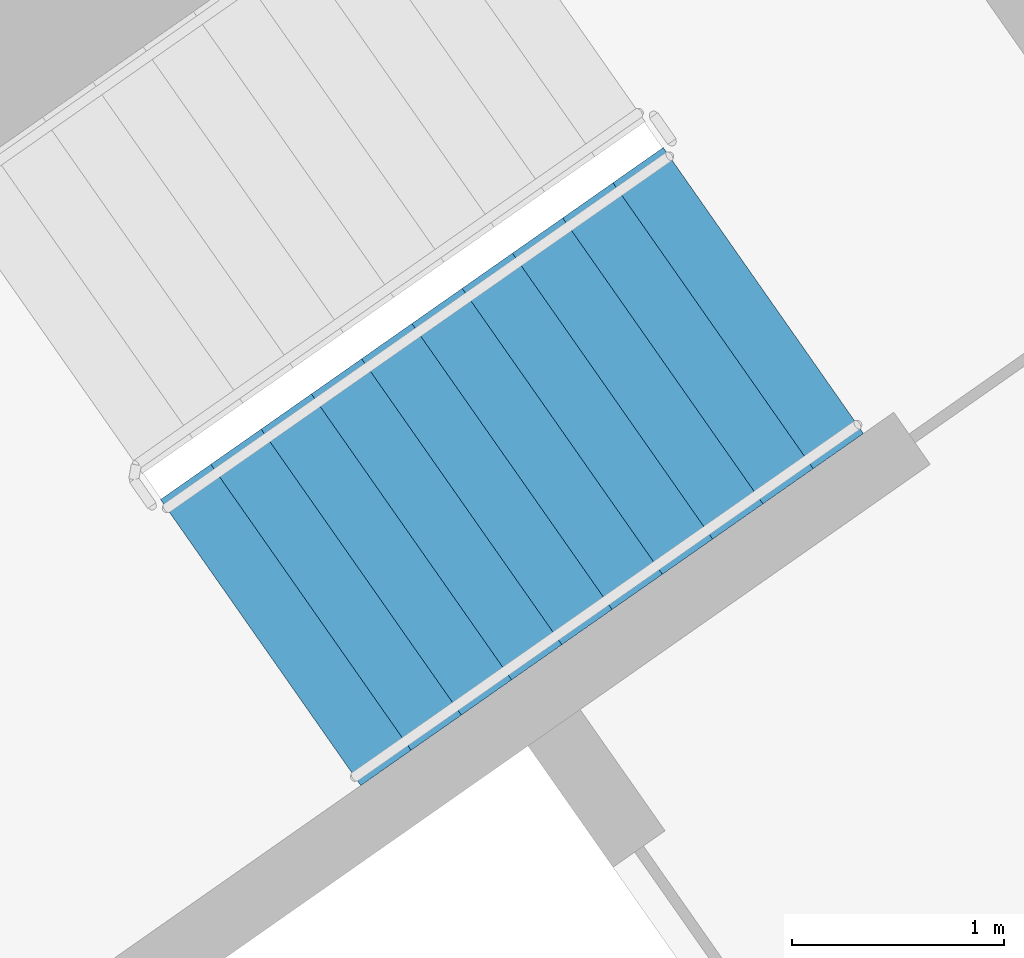
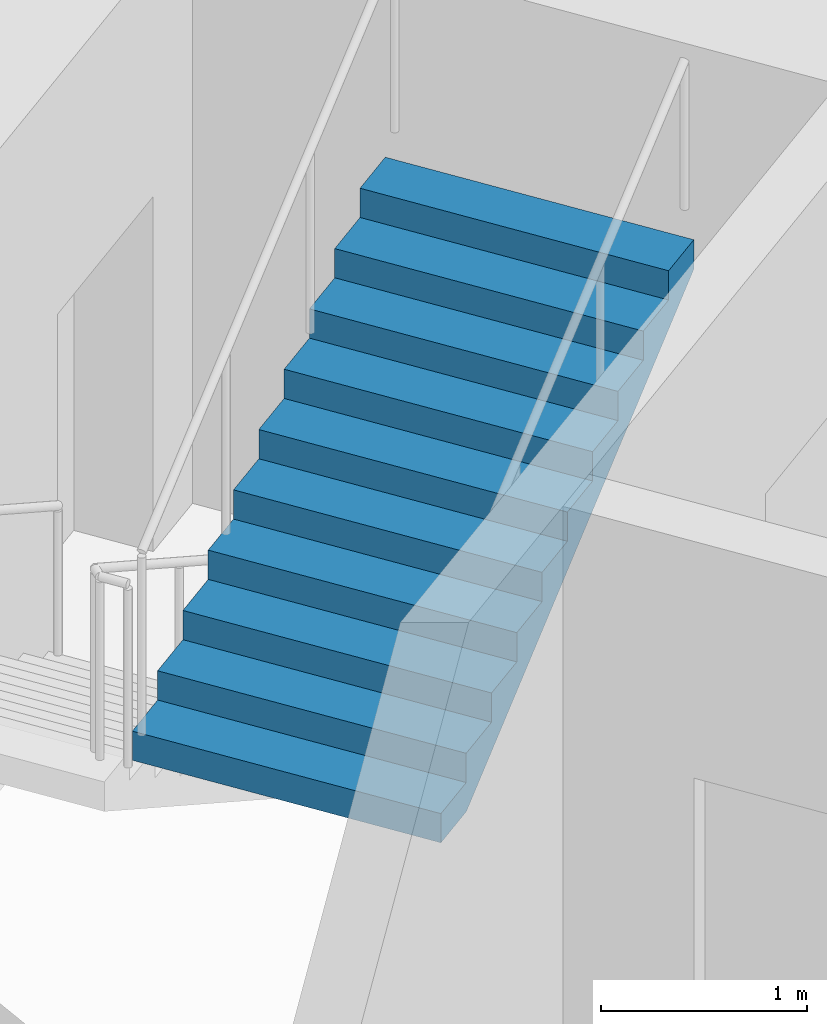
# One storey, part 17 of 32: 1 stair flight, 1 element without a shape of its own.
"""IFC4 building model written with IfcOpenShell, lengths in metres."""

from ifc_helpers import new_model, si_unit, direction, frame, origin, place, context, subcontext, project, spatial, faceted_brep, material, type_object, element, aggregate, save


model = new_model("IFC4")

# Units and contexts
model_context = context("Model", 3, precision=1e-05, world=origin(), true_north=direction((0.0, 1.0)))
body_context = subcontext(model_context, "Body", "Model", "MODEL_VIEW")
ifc_project = project(units=[si_unit("LENGTHUNIT", "METRE"), si_unit("AREAUNIT", "SQUARE_METRE"), si_unit("VOLUMEUNIT", "CUBIC_METRE"), si_unit("PLANEANGLEUNIT", "RADIAN"), si_unit("MASSUNIT", "GRAM", prefix="KILO")], contexts=[model_context])

# Site, building, storey
site_placement = place(None, origin())
site = spatial("IfcSite", under=ifc_project, at=site_placement, CompositionType="ELEMENT")
building_placement = place(site_placement, origin())
building = spatial("IfcBuilding", under=site, at=building_placement, Name="Qamariyya Broadcast Tower", CompositionType="ELEMENT")
storey_placement = place(building_placement, frame((0.0, 0.0, 70.89990234375)))
storey = spatial("IfcBuildingStorey", under=building, at=storey_placement, Name="L14", CompositionType="ELEMENT", Elevation=70.89990234375)

# Stair, stair flight
ifc_material = material(Name="Concrete C50/60", Category="concrete")
stair_type = type_object("IfcStairType", Name="Exit stair 22 risers of 173 mm", PredefinedType="HALF_TURN_STAIR", material=ifc_material)
stair_placement = place(storey_placement, origin())
stair = element("IfcStair", 1, at=stair_placement, inside=storey, type_object=stair_type, Name="L14 Stair E2", PredefinedType="HALF_TURN_STAIR")
stair_flight_type = type_object("IfcStairFlightType", Name="Exit stair flight 11 risers of 173 mm", PredefinedType="STRAIGHT", material=ifc_material)
stair_flight_placement = place(storey_placement, frame((39.215576171875, -50.822998046875, 1.900146484375), z_axis=(0.0, 0.0, 1.0), x_axis=(0.819152044289, 0.573576436351, 0.0)))
stair_flight = element("IfcStairFlight", 2, at=stair_flight_placement, type_object=stair_flight_type, Name="ST-E2 flight 2", NumberOfRisers=11, NumberOfTreads=10, PredefinedType="STRAIGHT", RiserHeight=0.172727273, TreadLength=0.29, context=body_context, shape_type="Brep", body=[
    faceted_brep([(0.0, 0.824951171875, 0.0), (0.0, 0.824951171875, 0.172607421875), (0.2900390625, 0.824951171875, 0.172607421875), (0.2900390625, 0.824951171875, 0.345458984375), (0.580078125, 0.824951171875, 0.345458984375), (0.580078125, 0.824951171875, 0.51806640625), (0.8701171875, 0.824951171875, 0.51806640625), (0.8701171875, 0.824951171875, 0.69091796875), (1.159912109375, 0.824951171875, 0.69091796875), (1.159912109375, 0.824951171875, 0.863525390625), (1.449951171875, 0.824951171875, 0.863525390625), (1.449951171875, 0.824951171875, 1.036376953125), (1.739990234375, 0.824951171875, 1.036376953125), (1.739990234375, 0.824951171875, 1.208984375), (2.030029296875, 0.824951171875, 1.208984375), (2.030029296875, 0.824951171875, 1.3818359375), (2.320068359375, 0.824951171875, 1.3818359375), (2.320068359375, 0.824951171875, 1.554443359375), (2.610107421875, 0.824951171875, 1.554443359375), (2.610107421875, 0.824951171875, 1.727294921875), (2.89990234375, 0.824951171875, 1.727294921875), (2.89990234375, 0.824951171875, 1.552734375), (0.29296875, 0.824951171875, 0.0), (0.29296875, -0.824951171875, 0.0), (2.89990234375, -0.824951171875, 1.552734375), (2.89990234375, -0.824951171875, 1.727294921875), (2.610107421875, -0.824951171875, 1.727294921875), (2.610107421875, -0.824951171875, 1.554443359375), (2.320068359375, -0.824951171875, 1.554443359375), (2.320068359375, -0.824951171875, 1.3818359375), (2.030029296875, -0.824951171875, 1.3818359375), (2.030029296875, -0.824951171875, 1.208984375), (1.739990234375, -0.824951171875, 1.208984375), (1.739990234375, -0.824951171875, 1.036376953125), (1.449951171875, -0.824951171875, 1.036376953125), (1.449951171875, -0.824951171875, 0.863525390625), (1.159912109375, -0.824951171875, 0.863525390625), (1.159912109375, -0.824951171875, 0.69091796875), (0.8701171875, -0.824951171875, 0.69091796875), (0.8701171875, -0.824951171875, 0.51806640625), (0.580078125, -0.824951171875, 0.51806640625), (0.580078125, -0.824951171875, 0.345458984375), (0.2900390625, -0.824951171875, 0.345458984375), (0.2900390625, -0.824951171875, 0.172607421875), (0.0, -0.824951171875, 0.172607421875), (0.0, -0.824951171875, 0.0), (0.0, 0.10009765625, 0.0), (0.0, 0.086669921875, 0.0), (0.0, 0.0732421875, 0.0), (0.0, 0.06005859375, 0.0), (0.0, 0.046630859375, 0.0), (0.0, 0.033447265625, 0.0), (0.0, 0.02001953125, 0.0), (0.0, 0.006591796875, 0.0), (0.0, -0.006591796875, 0.0), (0.0, -0.02001953125, 0.0), (0.0, -0.033447265625, 0.0), (0.0, -0.046630859375, 0.0), (0.0, -0.06005859375, 0.0), (0.0, -0.0732421875, 0.0), (0.0, -0.086669921875, 0.0), (0.0, -0.10009765625, 0.0), (0.0, -0.10009765625, 0.172607421875), (0.0, -0.086669921875, 0.172607421875), (0.0, -0.0732421875, 0.172607421875), (0.0, -0.06005859375, 0.172607421875), (0.0, -0.046630859375, 0.172607421875), (0.0, -0.033447265625, 0.172607421875), (0.0, -0.02001953125, 0.172607421875), (0.0, -0.006591796875, 0.172607421875), (0.0, 0.006591796875, 0.172607421875), (0.0, 0.02001953125, 0.172607421875), (0.0, 0.033447265625, 0.172607421875), (0.0, 0.046630859375, 0.172607421875), (0.0, 0.06005859375, 0.172607421875), (0.0, 0.0732421875, 0.172607421875), (0.0, 0.086669921875, 0.172607421875), (0.0, 0.10009765625, 0.172607421875), (0.2900390625, -0.10009765625, 0.172607421875), (0.2900390625, -0.086669921875, 0.172607421875), (0.2900390625, -0.0732421875, 0.172607421875), (0.2900390625, -0.06005859375, 0.172607421875), (0.2900390625, -0.046630859375, 0.172607421875), (0.2900390625, -0.033447265625, 0.172607421875), (0.2900390625, -0.02001953125, 0.172607421875), (0.2900390625, -0.006591796875, 0.172607421875), (0.2900390625, 0.006591796875, 0.172607421875), (0.2900390625, 0.02001953125, 0.172607421875), (0.2900390625, 0.033447265625, 0.172607421875), (0.2900390625, 0.046630859375, 0.172607421875), (0.2900390625, 0.06005859375, 0.172607421875), (0.2900390625, 0.0732421875, 0.172607421875), (0.2900390625, 0.086669921875, 0.172607421875), (0.2900390625, 0.10009765625, 0.172607421875), (0.2900390625, -0.10009765625, 0.345458984375), (0.2900390625, -0.086669921875, 0.345458984375), (0.2900390625, -0.0732421875, 0.345458984375), (0.2900390625, -0.06005859375, 0.345458984375), (0.2900390625, -0.046630859375, 0.345458984375), (0.2900390625, -0.033447265625, 0.345458984375), (0.2900390625, -0.02001953125, 0.345458984375), (0.2900390625, -0.006591796875, 0.345458984375), (0.2900390625, 0.006591796875, 0.345458984375), (0.2900390625, 0.02001953125, 0.345458984375), (0.2900390625, 0.033447265625, 0.345458984375), (0.2900390625, 0.046630859375, 0.345458984375), (0.2900390625, 0.06005859375, 0.345458984375), (0.2900390625, 0.0732421875, 0.345458984375), (0.2900390625, 0.086669921875, 0.345458984375), (0.2900390625, 0.10009765625, 0.345458984375), (0.580078125, -0.10009765625, 0.345458984375), (0.580078125, -0.086669921875, 0.345458984375), (0.580078125, -0.0732421875, 0.345458984375), (0.580078125, -0.06005859375, 0.345458984375), (0.580078125, -0.046630859375, 0.345458984375), (0.580078125, -0.033447265625, 0.345458984375), (0.580078125, -0.02001953125, 0.345458984375), (0.580078125, -0.006591796875, 0.345458984375), (0.580078125, 0.006591796875, 0.345458984375), (0.580078125, 0.02001953125, 0.345458984375), (0.580078125, 0.033447265625, 0.345458984375), (0.580078125, 0.046630859375, 0.345458984375), (0.580078125, 0.06005859375, 0.345458984375), (0.580078125, 0.0732421875, 0.345458984375), (0.580078125, 0.086669921875, 0.345458984375), (0.580078125, 0.10009765625, 0.345458984375), (0.580078125, -0.10009765625, 0.51806640625), (0.580078125, -0.086669921875, 0.51806640625), (0.580078125, -0.0732421875, 0.51806640625), (0.580078125, -0.06005859375, 0.51806640625), (0.580078125, -0.046630859375, 0.51806640625), (0.580078125, -0.033447265625, 0.51806640625), (0.580078125, -0.02001953125, 0.51806640625), (0.580078125, -0.006591796875, 0.51806640625), (0.580078125, 0.006591796875, 0.51806640625), (0.580078125, 0.02001953125, 0.51806640625), (0.580078125, 0.033447265625, 0.51806640625), (0.580078125, 0.046630859375, 0.51806640625), (0.580078125, 0.06005859375, 0.51806640625), (0.580078125, 0.0732421875, 0.51806640625), (0.580078125, 0.086669921875, 0.51806640625), (0.580078125, 0.10009765625, 0.51806640625), (0.8701171875, -0.10009765625, 0.51806640625), (0.8701171875, -0.086669921875, 0.51806640625), (0.8701171875, -0.0732421875, 0.51806640625), (0.8701171875, -0.06005859375, 0.51806640625), (0.8701171875, -0.046630859375, 0.51806640625), (0.8701171875, -0.033447265625, 0.51806640625), (0.8701171875, -0.02001953125, 0.51806640625), (0.8701171875, -0.006591796875, 0.51806640625), (0.8701171875, 0.006591796875, 0.51806640625), (0.8701171875, 0.02001953125, 0.51806640625), (0.8701171875, 0.033447265625, 0.51806640625), (0.8701171875, 0.046630859375, 0.51806640625), (0.8701171875, 0.06005859375, 0.51806640625), (0.8701171875, 0.0732421875, 0.51806640625), (0.8701171875, 0.086669921875, 0.51806640625), (0.8701171875, 0.10009765625, 0.51806640625), (0.8701171875, -0.10009765625, 0.69091796875), (0.8701171875, -0.086669921875, 0.69091796875), (0.8701171875, -0.0732421875, 0.69091796875), (0.8701171875, -0.06005859375, 0.69091796875), (0.8701171875, -0.046630859375, 0.69091796875), (0.8701171875, -0.033447265625, 0.69091796875), (0.8701171875, -0.02001953125, 0.69091796875), (0.8701171875, -0.006591796875, 0.69091796875), (0.8701171875, 0.006591796875, 0.69091796875), (0.8701171875, 0.02001953125, 0.69091796875), (0.8701171875, 0.033447265625, 0.69091796875), (0.8701171875, 0.046630859375, 0.69091796875), (0.8701171875, 0.06005859375, 0.69091796875), (0.8701171875, 0.0732421875, 0.69091796875), (0.8701171875, 0.086669921875, 0.69091796875), (0.8701171875, 0.10009765625, 0.69091796875), (1.159912109375, -0.10009765625, 0.69091796875), (1.159912109375, -0.086669921875, 0.69091796875), (1.159912109375, -0.0732421875, 0.69091796875), (1.159912109375, -0.06005859375, 0.69091796875), (1.159912109375, -0.046630859375, 0.69091796875), (1.159912109375, -0.033447265625, 0.69091796875), (1.159912109375, -0.02001953125, 0.69091796875), (1.159912109375, -0.006591796875, 0.69091796875), (1.159912109375, 0.006591796875, 0.69091796875), (1.159912109375, 0.02001953125, 0.69091796875), (1.159912109375, 0.033447265625, 0.69091796875), (1.159912109375, 0.046630859375, 0.69091796875), (1.159912109375, 0.06005859375, 0.69091796875), (1.159912109375, 0.0732421875, 0.69091796875), (1.159912109375, 0.086669921875, 0.69091796875), (1.159912109375, 0.10009765625, 0.69091796875), (1.159912109375, -0.10009765625, 0.863525390625), (1.159912109375, -0.086669921875, 0.863525390625), (1.159912109375, -0.0732421875, 0.863525390625), (1.159912109375, -0.06005859375, 0.863525390625), (1.159912109375, -0.046630859375, 0.863525390625), (1.159912109375, -0.033447265625, 0.863525390625), (1.159912109375, -0.02001953125, 0.863525390625), (1.159912109375, -0.006591796875, 0.863525390625), (1.159912109375, 0.006591796875, 0.863525390625), (1.159912109375, 0.02001953125, 0.863525390625), (1.159912109375, 0.033447265625, 0.863525390625), (1.159912109375, 0.046630859375, 0.863525390625), (1.159912109375, 0.06005859375, 0.863525390625), (1.159912109375, 0.0732421875, 0.863525390625), (1.159912109375, 0.086669921875, 0.863525390625), (1.159912109375, 0.10009765625, 0.863525390625), (1.449951171875, -0.10009765625, 0.863525390625), (1.449951171875, -0.086669921875, 0.863525390625), (1.449951171875, -0.0732421875, 0.863525390625), (1.449951171875, -0.06005859375, 0.863525390625), (1.449951171875, -0.046630859375, 0.863525390625), (1.449951171875, -0.033447265625, 0.863525390625), (1.449951171875, -0.02001953125, 0.863525390625), (1.449951171875, -0.006591796875, 0.863525390625), (1.449951171875, 0.006591796875, 0.863525390625), (1.449951171875, 0.02001953125, 0.863525390625), (1.449951171875, 0.033447265625, 0.863525390625), (1.449951171875, 0.046630859375, 0.863525390625), (1.449951171875, 0.06005859375, 0.863525390625), (1.449951171875, 0.0732421875, 0.863525390625), (1.449951171875, 0.086669921875, 0.863525390625), (1.449951171875, 0.10009765625, 0.863525390625), (1.449951171875, -0.10009765625, 1.036376953125), (1.449951171875, -0.086669921875, 1.036376953125), (1.449951171875, -0.0732421875, 1.036376953125), (1.449951171875, -0.06005859375, 1.036376953125), (1.449951171875, -0.046630859375, 1.036376953125), (1.449951171875, -0.033447265625, 1.036376953125), (1.449951171875, -0.02001953125, 1.036376953125), (1.449951171875, -0.006591796875, 1.036376953125), (1.449951171875, 0.006591796875, 1.036376953125), (1.449951171875, 0.02001953125, 1.036376953125), (1.449951171875, 0.033447265625, 1.036376953125), (1.449951171875, 0.046630859375, 1.036376953125), (1.449951171875, 0.06005859375, 1.036376953125), (1.449951171875, 0.0732421875, 1.036376953125), (1.449951171875, 0.086669921875, 1.036376953125), (1.449951171875, 0.10009765625, 1.036376953125), (1.739990234375, -0.10009765625, 1.036376953125), (1.739990234375, -0.086669921875, 1.036376953125), (1.739990234375, -0.0732421875, 1.036376953125), (1.739990234375, -0.06005859375, 1.036376953125), (1.739990234375, -0.046630859375, 1.036376953125), (1.739990234375, -0.033447265625, 1.036376953125), (1.739990234375, -0.02001953125, 1.036376953125), (1.739990234375, -0.006591796875, 1.036376953125), (1.739990234375, 0.006591796875, 1.036376953125), (1.739990234375, 0.02001953125, 1.036376953125), (1.739990234375, 0.033447265625, 1.036376953125), (1.739990234375, 0.046630859375, 1.036376953125), (1.739990234375, 0.06005859375, 1.036376953125), (1.739990234375, 0.0732421875, 1.036376953125), (1.739990234375, 0.086669921875, 1.036376953125), (1.739990234375, 0.10009765625, 1.036376953125), (1.739990234375, -0.10009765625, 1.208984375), (1.739990234375, -0.086669921875, 1.208984375), (1.739990234375, -0.0732421875, 1.208984375), (1.739990234375, -0.06005859375, 1.208984375), (1.739990234375, -0.046630859375, 1.208984375), (1.739990234375, -0.033447265625, 1.208984375), (1.739990234375, -0.02001953125, 1.208984375), (1.739990234375, -0.006591796875, 1.208984375), (1.739990234375, 0.006591796875, 1.208984375), (1.739990234375, 0.02001953125, 1.208984375), (1.739990234375, 0.033447265625, 1.208984375), (1.739990234375, 0.046630859375, 1.208984375), (1.739990234375, 0.06005859375, 1.208984375), (1.739990234375, 0.0732421875, 1.208984375), (1.739990234375, 0.086669921875, 1.208984375), (1.739990234375, 0.10009765625, 1.208984375), (2.030029296875, -0.10009765625, 1.208984375), (2.030029296875, -0.086669921875, 1.208984375), (2.030029296875, -0.0732421875, 1.208984375), (2.030029296875, -0.06005859375, 1.208984375), (2.030029296875, -0.046630859375, 1.208984375), (2.030029296875, -0.033447265625, 1.208984375), (2.030029296875, -0.02001953125, 1.208984375), (2.030029296875, -0.006591796875, 1.208984375), (2.030029296875, 0.006591796875, 1.208984375), (2.030029296875, 0.02001953125, 1.208984375), (2.030029296875, 0.033447265625, 1.208984375), (2.030029296875, 0.046630859375, 1.208984375), (2.030029296875, 0.06005859375, 1.208984375), (2.030029296875, 0.0732421875, 1.208984375), (2.030029296875, 0.086669921875, 1.208984375), (2.030029296875, 0.10009765625, 1.208984375), (2.030029296875, -0.10009765625, 1.3818359375), (2.030029296875, -0.086669921875, 1.3818359375), (2.030029296875, -0.0732421875, 1.3818359375), (2.030029296875, -0.06005859375, 1.3818359375), (2.030029296875, -0.046630859375, 1.3818359375), (2.030029296875, -0.033447265625, 1.3818359375), (2.030029296875, -0.02001953125, 1.3818359375), (2.030029296875, -0.006591796875, 1.3818359375), (2.030029296875, 0.006591796875, 1.3818359375), (2.030029296875, 0.02001953125, 1.3818359375), (2.030029296875, 0.033447265625, 1.3818359375), (2.030029296875, 0.046630859375, 1.3818359375), (2.030029296875, 0.06005859375, 1.3818359375), (2.030029296875, 0.0732421875, 1.3818359375), (2.030029296875, 0.086669921875, 1.3818359375), (2.030029296875, 0.10009765625, 1.3818359375), (2.320068359375, -0.10009765625, 1.3818359375), (2.320068359375, -0.086669921875, 1.3818359375), (2.320068359375, -0.0732421875, 1.3818359375), (2.320068359375, -0.06005859375, 1.3818359375), (2.320068359375, -0.046630859375, 1.3818359375), (2.320068359375, -0.033447265625, 1.3818359375), (2.320068359375, -0.02001953125, 1.3818359375), (2.320068359375, -0.006591796875, 1.3818359375), (2.320068359375, 0.006591796875, 1.3818359375), (2.320068359375, 0.02001953125, 1.3818359375), (2.320068359375, 0.033447265625, 1.3818359375), (2.320068359375, 0.046630859375, 1.3818359375), (2.320068359375, 0.06005859375, 1.3818359375), (2.320068359375, 0.0732421875, 1.3818359375), (2.320068359375, 0.086669921875, 1.3818359375), (2.320068359375, 0.10009765625, 1.3818359375), (2.320068359375, -0.10009765625, 1.554443359375), (2.320068359375, -0.086669921875, 1.554443359375), (2.320068359375, -0.0732421875, 1.554443359375), (2.320068359375, -0.06005859375, 1.554443359375), (2.320068359375, -0.046630859375, 1.554443359375), (2.320068359375, -0.033447265625, 1.554443359375), (2.320068359375, -0.02001953125, 1.554443359375), (2.320068359375, -0.006591796875, 1.554443359375), (2.320068359375, 0.006591796875, 1.554443359375), (2.320068359375, 0.02001953125, 1.554443359375), (2.320068359375, 0.033447265625, 1.554443359375), (2.320068359375, 0.046630859375, 1.554443359375), (2.320068359375, 0.06005859375, 1.554443359375), (2.320068359375, 0.0732421875, 1.554443359375), (2.320068359375, 0.086669921875, 1.554443359375), (2.320068359375, 0.10009765625, 1.554443359375), (2.610107421875, -0.10009765625, 1.554443359375), (2.610107421875, -0.086669921875, 1.554443359375), (2.610107421875, -0.0732421875, 1.554443359375), (2.610107421875, -0.06005859375, 1.554443359375), (2.610107421875, -0.046630859375, 1.554443359375), (2.610107421875, -0.033447265625, 1.554443359375), (2.610107421875, -0.02001953125, 1.554443359375), (2.610107421875, -0.006591796875, 1.554443359375), (2.610107421875, 0.006591796875, 1.554443359375), (2.610107421875, 0.02001953125, 1.554443359375), (2.610107421875, 0.033447265625, 1.554443359375), (2.610107421875, 0.046630859375, 1.554443359375), (2.610107421875, 0.06005859375, 1.554443359375), (2.610107421875, 0.0732421875, 1.554443359375), (2.610107421875, 0.086669921875, 1.554443359375), (2.610107421875, 0.10009765625, 1.554443359375), (2.610107421875, -0.10009765625, 1.727294921875), (2.610107421875, -0.086669921875, 1.727294921875), (2.610107421875, -0.0732421875, 1.727294921875), (2.610107421875, -0.06005859375, 1.727294921875), (2.610107421875, -0.046630859375, 1.727294921875), (2.610107421875, -0.033447265625, 1.727294921875), (2.610107421875, -0.02001953125, 1.727294921875), (2.610107421875, -0.006591796875, 1.727294921875), (2.610107421875, 0.006591796875, 1.727294921875), (2.610107421875, 0.02001953125, 1.727294921875), (2.610107421875, 0.033447265625, 1.727294921875), (2.610107421875, 0.046630859375, 1.727294921875), (2.610107421875, 0.06005859375, 1.727294921875), (2.610107421875, 0.0732421875, 1.727294921875), (2.610107421875, 0.086669921875, 1.727294921875), (2.610107421875, 0.10009765625, 1.727294921875), (2.89990234375, -0.10009765625, 1.727294921875), (2.89990234375, -0.086669921875, 1.727294921875), (2.89990234375, -0.0732421875, 1.727294921875), (2.89990234375, -0.06005859375, 1.727294921875), (2.89990234375, -0.046630859375, 1.727294921875), (2.89990234375, -0.033447265625, 1.727294921875), (2.89990234375, -0.02001953125, 1.727294921875), (2.89990234375, -0.006591796875, 1.727294921875), (2.89990234375, 0.006591796875, 1.727294921875), (2.89990234375, 0.02001953125, 1.727294921875), (2.89990234375, 0.033447265625, 1.727294921875), (2.89990234375, 0.046630859375, 1.727294921875), (2.89990234375, 0.06005859375, 1.727294921875), (2.89990234375, 0.0732421875, 1.727294921875), (2.89990234375, 0.086669921875, 1.727294921875), (2.89990234375, 0.10009765625, 1.727294921875), (2.89990234375, -0.10009765625, 1.552734375), (2.89990234375, -0.086669921875, 1.552734375), (2.89990234375, -0.0732421875, 1.552734375), (2.89990234375, -0.06005859375, 1.552734375), (2.89990234375, -0.046630859375, 1.552734375), (2.89990234375, -0.033447265625, 1.552734375), (2.89990234375, -0.02001953125, 1.552734375), (2.89990234375, -0.006591796875, 1.552734375), (2.89990234375, 0.006591796875, 1.552734375), (2.89990234375, 0.02001953125, 1.552734375), (2.89990234375, 0.033447265625, 1.552734375), (2.89990234375, 0.046630859375, 1.552734375), (2.89990234375, 0.06005859375, 1.552734375), (2.89990234375, 0.0732421875, 1.552734375), (2.89990234375, 0.086669921875, 1.552734375), (2.89990234375, 0.10009765625, 1.552734375), (0.29296875, -0.10009765625, 0.0), (0.29296875, -0.086669921875, 0.0), (0.29296875, -0.0732421875, 0.0), (0.29296875, -0.06005859375, 0.0), (0.29296875, -0.046630859375, 0.0), (0.29296875, -0.033447265625, 0.0), (0.29296875, -0.02001953125, 0.0), (0.29296875, -0.006591796875, 0.0), (0.29296875, 0.006591796875, 0.0), (0.29296875, 0.02001953125, 0.0), (0.29296875, 0.033447265625, 0.0), (0.29296875, 0.046630859375, 0.0), (0.29296875, 0.06005859375, 0.0), (0.29296875, 0.0732421875, 0.0), (0.29296875, 0.086669921875, 0.0), (0.29296875, 0.10009765625, 0.0)], [[[0, 1, 2, 3, 4, 5, 6, 7, 8, 9, 10, 11, 12, 13, 14, 15, 16, 17, 18, 19, 20, 21, 22]], [[23, 24, 25, 26, 27, 28, 29, 30, 31, 32, 33, 34, 35, 36, 37, 38, 39, 40, 41, 42, 43, 44, 45]], [[0, 46, 47, 48, 49, 50, 51, 52, 53, 54, 55, 56, 57, 58, 59, 60, 61, 45, 44, 62, 63, 64, 65, 66, 67, 68, 69, 70, 71, 72, 73, 74, 75, 76, 77, 1]], [[1, 77, 76, 75, 74, 73, 72, 71, 70, 69, 68, 67, 66, 65, 64, 63, 62, 44, 43, 78, 79, 80, 81, 82, 83, 84, 85, 86, 87, 88, 89, 90, 91, 92, 93, 2]], [[2, 93, 92, 91, 90, 89, 88, 87, 86, 85, 84, 83, 82, 81, 80, 79, 78, 43, 42, 94, 95, 96, 97, 98, 99, 100, 101, 102, 103, 104, 105, 106, 107, 108, 109, 3]], [[3, 109, 108, 107, 106, 105, 104, 103, 102, 101, 100, 99, 98, 97, 96, 95, 94, 42, 41, 110, 111, 112, 113, 114, 115, 116, 117, 118, 119, 120, 121, 122, 123, 124, 125, 4]], [[4, 125, 124, 123, 122, 121, 120, 119, 118, 117, 116, 115, 114, 113, 112, 111, 110, 41, 40, 126, 127, 128, 129, 130, 131, 132, 133, 134, 135, 136, 137, 138, 139, 140, 141, 5]], [[5, 141, 140, 139, 138, 137, 136, 135, 134, 133, 132, 131, 130, 129, 128, 127, 126, 40, 39, 142, 143, 144, 145, 146, 147, 148, 149, 150, 151, 152, 153, 154, 155, 156, 157, 6]], [[6, 157, 156, 155, 154, 153, 152, 151, 150, 149, 148, 147, 146, 145, 144, 143, 142, 39, 38, 158, 159, 160, 161, 162, 163, 164, 165, 166, 167, 168, 169, 170, 171, 172, 173, 7]], [[7, 173, 172, 171, 170, 169, 168, 167, 166, 165, 164, 163, 162, 161, 160, 159, 158, 38, 37, 174, 175, 176, 177, 178, 179, 180, 181, 182, 183, 184, 185, 186, 187, 188, 189, 8]], [[8, 189, 188, 187, 186, 185, 184, 183, 182, 181, 180, 179, 178, 177, 176, 175, 174, 37, 36, 190, 191, 192, 193, 194, 195, 196, 197, 198, 199, 200, 201, 202, 203, 204, 205, 9]], [[9, 205, 204, 203, 202, 201, 200, 199, 198, 197, 196, 195, 194, 193, 192, 191, 190, 36, 35, 206, 207, 208, 209, 210, 211, 212, 213, 214, 215, 216, 217, 218, 219, 220, 221, 10]], [[10, 221, 220, 219, 218, 217, 216, 215, 214, 213, 212, 211, 210, 209, 208, 207, 206, 35, 34, 222, 223, 224, 225, 226, 227, 228, 229, 230, 231, 232, 233, 234, 235, 236, 237, 11]], [[11, 237, 236, 235, 234, 233, 232, 231, 230, 229, 228, 227, 226, 225, 224, 223, 222, 34, 33, 238, 239, 240, 241, 242, 243, 244, 245, 246, 247, 248, 249, 250, 251, 252, 253, 12]], [[12, 253, 252, 251, 250, 249, 248, 247, 246, 245, 244, 243, 242, 241, 240, 239, 238, 33, 32, 254, 255, 256, 257, 258, 259, 260, 261, 262, 263, 264, 265, 266, 267, 268, 269, 13]], [[13, 269, 268, 267, 266, 265, 264, 263, 262, 261, 260, 259, 258, 257, 256, 255, 254, 32, 31, 270, 271, 272, 273, 274, 275, 276, 277, 278, 279, 280, 281, 282, 283, 284, 285, 14]], [[14, 285, 284, 283, 282, 281, 280, 279, 278, 277, 276, 275, 274, 273, 272, 271, 270, 31, 30, 286, 287, 288, 289, 290, 291, 292, 293, 294, 295, 296, 297, 298, 299, 300, 301, 15]], [[15, 301, 300, 299, 298, 297, 296, 295, 294, 293, 292, 291, 290, 289, 288, 287, 286, 30, 29, 302, 303, 304, 305, 306, 307, 308, 309, 310, 311, 312, 313, 314, 315, 316, 317, 16]], [[16, 317, 316, 315, 314, 313, 312, 311, 310, 309, 308, 307, 306, 305, 304, 303, 302, 29, 28, 318, 319, 320, 321, 322, 323, 324, 325, 326, 327, 328, 329, 330, 331, 332, 333, 17]], [[17, 333, 332, 331, 330, 329, 328, 327, 326, 325, 324, 323, 322, 321, 320, 319, 318, 28, 27, 334, 335, 336, 337, 338, 339, 340, 341, 342, 343, 344, 345, 346, 347, 348, 349, 18]], [[18, 349, 348, 347, 346, 345, 344, 343, 342, 341, 340, 339, 338, 337, 336, 335, 334, 27, 26, 350, 351, 352, 353, 354, 355, 356, 357, 358, 359, 360, 361, 362, 363, 364, 365, 19]], [[19, 365, 364, 363, 362, 361, 360, 359, 358, 357, 356, 355, 354, 353, 352, 351, 350, 26, 25, 366, 367, 368, 369, 370, 371, 372, 373, 374, 375, 376, 377, 378, 379, 380, 381, 20]], [[20, 381, 380, 379, 378, 377, 376, 375, 374, 373, 372, 371, 370, 369, 368, 367, 366, 25, 24, 382, 383, 384, 385, 386, 387, 388, 389, 390, 391, 392, 393, 394, 395, 396, 397, 21]], [[21, 397, 396, 395, 394, 393, 392, 391, 390, 389, 388, 387, 386, 385, 384, 383, 382, 24, 23, 398, 399, 400, 401, 402, 403, 404, 405, 406, 407, 408, 409, 410, 411, 412, 413, 22]], [[22, 413, 412, 411, 410, 409, 408, 407, 406, 405, 404, 403, 402, 401, 400, 399, 398, 23, 45, 61, 60, 59, 58, 57, 56, 55, 54, 53, 52, 51, 50, 49, 48, 47, 46, 0]]]),
])
aggregate(stair, [stair_flight])

save(model, "model.ifc")
